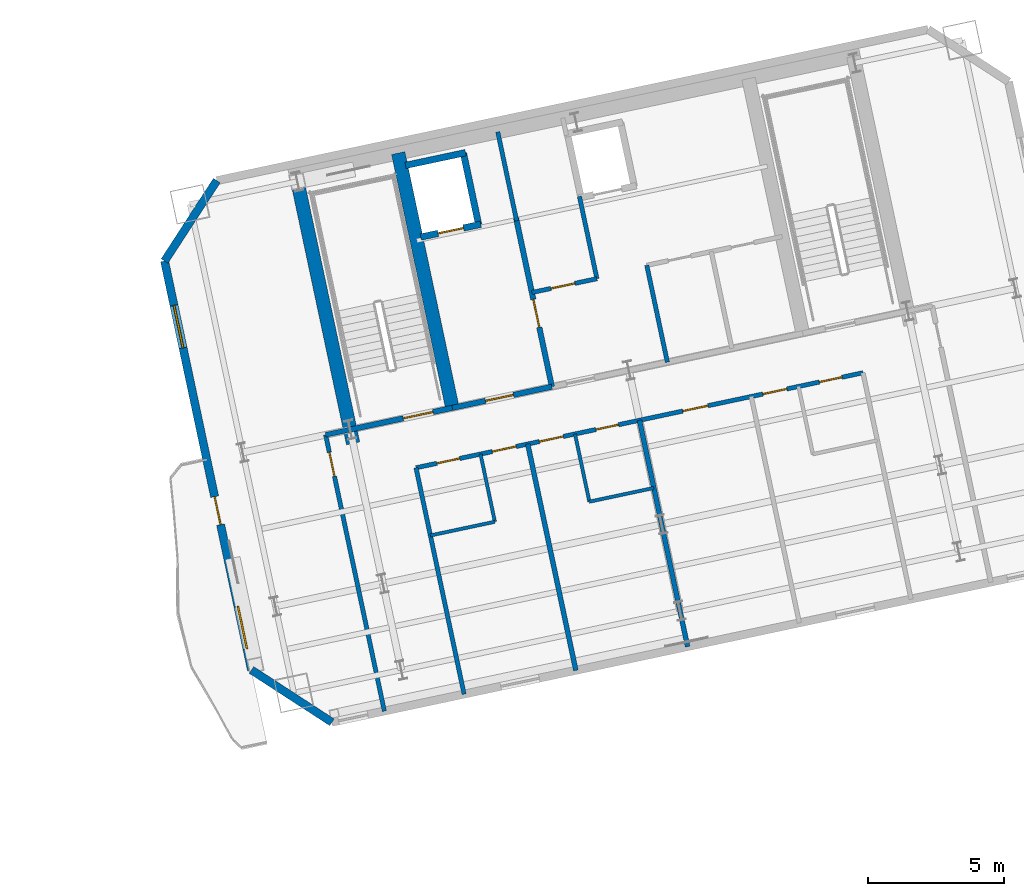
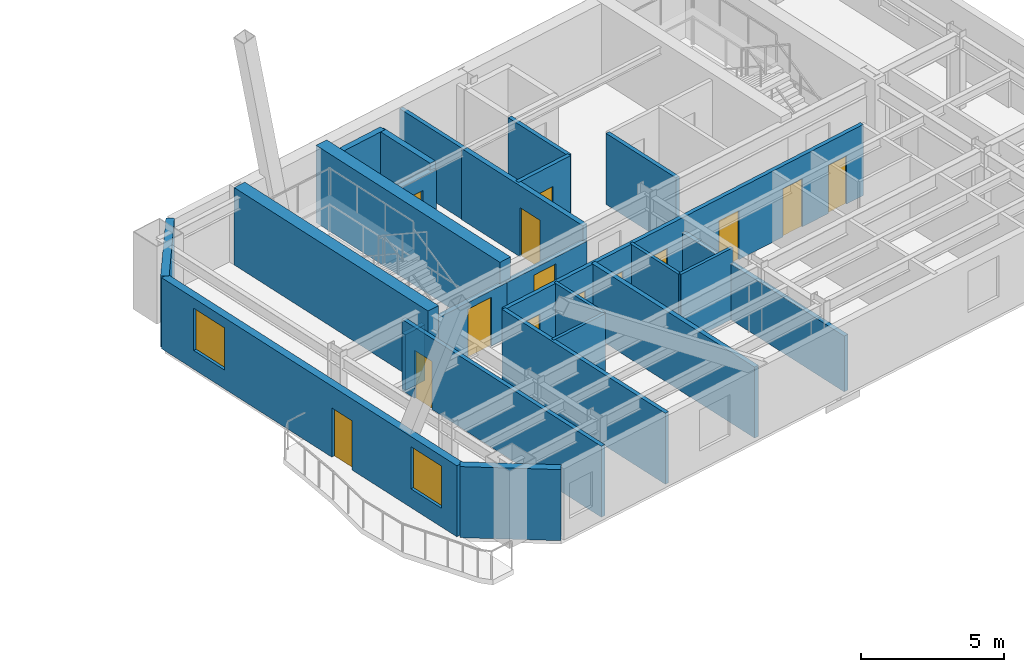
# One storey, part 7 of 13: 25 walls, 14 doors, 2 windows, 16 openings.
"""IFC4 building model written with IfcOpenShell, lengths in metres."""

from ifc_helpers import new_model, si_unit, direction, frame, frame_2d, origin, place, context, subcontext, project, spatial, rectangle, extrude, material, layer, layer_set, type_object, element, fill, save


model = new_model("IFC4")

# Units and contexts
model_context = context("Model", 3, precision=1e-05, world=origin(), true_north=direction((0.0, 1.0)))
body_context = subcontext(model_context, "Body", "Model", "MODEL_VIEW")
ifc_project = project(units=[si_unit("LENGTHUNIT", "METRE"), si_unit("AREAUNIT", "SQUARE_METRE"), si_unit("VOLUMEUNIT", "CUBIC_METRE"), si_unit("PLANEANGLEUNIT", "RADIAN"), si_unit("MASSUNIT", "GRAM", prefix="KILO")], contexts=[model_context])

# Site, building, storey
site_placement = place(None, origin())
site = spatial("IfcSite", under=ifc_project, at=site_placement, CompositionType="ELEMENT")
building_placement = place(site_placement, origin())
building = spatial("IfcBuilding", under=site, at=building_placement, Name="Haevon Station Towers", CompositionType="ELEMENT")
storey_placement = place(building_placement, frame((0.0, 0.0, 165.89990234375)))
storey = spatial("IfcBuildingStorey", under=building, at=storey_placement, Name="L45", CompositionType="ELEMENT", Elevation=165.89990234375)

# Walls
ifc_material_1 = material(Name="Gypsum board on steel stud", Category="steel")
ifc_layer_1 = layer(ifc_material_1, 0.179931640625)
ifc_layer_set_1 = layer_set([ifc_layer_1], Name="Gypsum board on steel stud")
wall_type_1 = type_object("IfcWallType", Name="WL-ACU180", PredefinedType="PARTITIONING", material=ifc_layer_set_1)
wall_1_placement = place(storey_placement, frame((97.84765625, 37.25, 0.0), z_axis=(0.0, 0.0, 1.0), x_axis=(0.978133353907, 0.20797870558, 0.0)))
element("IfcWall", 1, at=wall_1_placement, inside=storey, type_object=wall_type_1, Name="WL-T2PT-L45-03", PredefinedType="PARTITIONING", context=body_context, shape_type="SweptSolid", body=[
    extrude(rectangle(XDim=0.925048828125, YDim=0.179931640625, at=frame_2d((0.46240234375, 0.0))), origin(), (0.0, 0.0, 1.0), 2.380126953125),
])
wall_2_placement = place(storey_placement, frame((107.0693359375, 28.567626953125, 0.0), z_axis=(0.0, 0.0, 1.0), x_axis=(-0.207929954216, 0.978143718551, 0.0)))
element("IfcWall", 2, at=wall_2_placement, inside=storey, type_object=wall_type_1, Name="WL-T2PT-L45-09", PredefinedType="PARTITIONING", context=body_context, shape_type="SweptSolid", body=[
    extrude(rectangle(XDim=8.5302734375, YDim=0.179931640625, at=frame_2d((4.26513671875, 0.0))), origin(), (0.0, 0.0, 1.0), 3.030029296875),
])
wall_3_placement = place(storey_placement, frame((111.187255859375, 29.44287109375, 0.0), z_axis=(0.0, 0.0, 1.0), x_axis=(-0.207902570608, 0.97814953925, 0.0)))
element("IfcWall", 3, at=wall_3_placement, inside=storey, type_object=wall_type_1, Name="WL-T2PT-L45-12", PredefinedType="PARTITIONING", context=body_context, shape_type="SweptSolid", body=[
    extrude(rectangle(XDim=8.530029296875, YDim=0.179931640625, at=frame_2d((4.26513671875, 0.0))), origin(), (0.0, 0.0, 1.0), 2.380126953125),
])

# Wall, opening, door
ifc_layer_2 = layer(ifc_material_1, 0.199951171875)
ifc_layer_set_2 = layer_set([ifc_layer_2], Name="Gypsum board on steel stud")
wall_type_2 = type_object("IfcWallType", Name="WL-COR200", PredefinedType="PARTITIONING", material=ifc_layer_set_2)
wall_4_placement = place(storey_placement, frame((98.75244140625, 37.4423828125, 0.0), z_axis=(0.0, 0.0, 1.0), x_axis=(0.978143537786, 0.207930804564, 0.0)))
wall_4 = element("IfcWall", 4, at=wall_4_placement, inside=storey, type_object=wall_type_2, Name="WL-ST-ST3-L45", PredefinedType="PARTITIONING", context=body_context, shape_type="SweptSolid", body=[
    extrude(rectangle(XDim=3.85009765625, YDim=0.199951171875, at=frame_2d((1.925048828125, 0.0))), origin(), (0.0, 0.0, 1.0), 2.380126953125),
])
opening_1_placement = place(wall_4_placement, frame((2.0, 0.0, 0.0)))
opening_1 = element("IfcOpeningElement", 5, at=opening_1_placement, cuts=wall_4, Name="Opening DR-ST-ST3-L45", PredefinedType="OPENING", context=body_context, shape_type="SweptSolid", body=[
    extrude(rectangle(XDim=1.1201171875, YDim=2.10009765625, at=frame_2d((0.56005859375, 1.050048828125))), frame((0.0, 0.10986328125, 0.0), z_axis=(0.0, -1.0, 0.0), x_axis=(1.0, 0.0, 0.0)), (0.0, 0.0, 1.0), 0.219970703125),
])
ifc_material_2 = material(Name="Engineered oak timber", Category="wood")
door_type_1 = type_object("IfcDoorType", Name="DR-ST-1120", OperationType="NOTDEFINED", PredefinedType="DOOR", material=ifc_material_2)
door_1_placement = place(opening_1_placement, origin())
door_1 = element("IfcDoor", 6, at=door_1_placement, inside=storey, type_object=door_type_1, Name="L45 Escape Stair ST3 Fire Door", OperationType="SINGLE_SWING_LEFT", OverallHeight=2.10009765625, OverallWidth=1.1201171875, PredefinedType="DOOR", context=body_context, shape_type="SweptSolid", body=[
    extrude(rectangle(XDim=1.1201171875, YDim=2.10009765625, at=frame_2d((0.56005859375, 1.050048828125))), frame((0.0, 0.02490234375, 0.0), z_axis=(0.0, -1.0, 0.0), x_axis=(1.0, 0.0, 0.0)), (0.0, 0.0, 1.0), 0.050048828125),
])
fill(opening_1, door_1)

wall_5_placement = place(storey_placement, frame((106.186279296875, 39.0224609375, 0.0), z_axis=(0.0, 0.0, 1.0), x_axis=(-0.207916691923, 0.978146537703, 0.0)))
wall_5 = element("IfcWall", 7, at=wall_5_placement, inside=storey, type_object=wall_type_2, Name="WL-T2FFL-L45-E", PredefinedType="PARTITIONING", context=body_context, shape_type="SweptSolid", body=[
    extrude(rectangle(XDim=6.35009765625, YDim=0.199951171875, at=frame_2d((3.175048828125, 0.0))), origin(), (0.0, 0.0, 1.0), 3.030029296875),
])
opening_2_placement = place(wall_5_placement, frame((2.239990234375, 0.0, 0.0)))
opening_2 = element("IfcOpeningElement", 8, at=opening_2_placement, cuts=wall_5, Name="Opening DR-T2FFL-L45-E", PredefinedType="OPENING", context=body_context, shape_type="SweptSolid", body=[
    extrude(rectangle(XDim=1.050048828125, YDim=2.10009765625, at=frame_2d((0.52490234375, 1.050048828125))), frame((0.0, 0.10986328125, 0.0), z_axis=(0.0, -1.0, 0.0), x_axis=(1.0, 0.0, 0.0)), (0.0, 0.0, 1.0), 0.219970703125),
])
door_type_2 = type_object("IfcDoorType", Name="DR-FD60-1050", OperationType="NOTDEFINED", PredefinedType="DOOR", material=ifc_material_2)
door_2_placement = place(opening_2_placement, origin())
door_2 = element("IfcDoor", 9, at=door_2_placement, inside=storey, type_object=door_type_2, Name="L45 Tower 2 Firefighting Lift Lobby Door E", OperationType="SINGLE_SWING_LEFT", OverallHeight=2.10009765625, OverallWidth=1.050048828125, PredefinedType="DOOR", context=body_context, shape_type="SweptSolid", body=[
    extrude(rectangle(XDim=1.050048828125, YDim=2.10009765625, at=frame_2d((0.52490234375, 1.050048828125))), frame((0.0, 0.02490234375, 0.0), z_axis=(0.0, -1.0, 0.0), x_axis=(1.0, 0.0, 0.0)), (0.0, 0.0, 1.0), 0.050048828125),
])
fill(opening_2, door_2)

wall_6_placement = place(storey_placement, frame((102.518310546875, 38.242919921875, 0.0), z_axis=(0.0, 0.0, 1.0), x_axis=(0.978153555683, 0.20788367301, 0.0)))
wall_6 = element("IfcWall", 10, at=wall_6_placement, inside=storey, type_object=wall_type_2, Name="WL-T2FFL-L45-S", PredefinedType="PARTITIONING", context=body_context, shape_type="SweptSolid", body=[
    extrude(rectangle(XDim=3.75, YDim=0.199951171875, at=frame_2d((1.875, 0.0))), origin(), (0.0, 0.0, 1.0), 2.380126953125),
])
opening_3_placement = place(wall_6_placement, frame((1.25, 0.0, 0.0)))
opening_3 = element("IfcOpeningElement", 11, at=opening_3_placement, cuts=wall_6, Name="Opening DR-T2FFL-L45-S", PredefinedType="OPENING", context=body_context, shape_type="SweptSolid", body=[
    extrude(rectangle(XDim=1.050048828125, YDim=2.10009765625, at=frame_2d((0.52490234375, 1.050048828125))), frame((0.0, 0.10986328125, 0.0), z_axis=(0.0, -1.0, 0.0), x_axis=(1.0, 0.0, 0.0)), (0.0, 0.0, 1.0), 0.219970703125),
])
door_3_placement = place(opening_3_placement, origin())
door_3 = element("IfcDoor", 12, at=door_3_placement, inside=storey, type_object=door_type_2, Name="L45 Tower 2 Firefighting Lift Lobby Door S", OperationType="SINGLE_SWING_RIGHT", OverallHeight=2.10009765625, OverallWidth=1.050048828125, PredefinedType="DOOR", context=body_context, shape_type="SweptSolid", body=[
    extrude(rectangle(XDim=1.050048828125, YDim=2.10009765625, at=frame_2d((0.52490234375, 1.050048828125))), frame((0.0, 0.02490234375, 0.0), z_axis=(0.0, -1.0, 0.0), x_axis=(1.0, 0.0, 0.0)), (0.0, 0.0, 1.0), 0.050048828125),
])
fill(opening_3, door_3)

# Walls
ifc_material_3 = material(Name="Concrete C60/75", Category="concrete")
ifc_layer_3 = layer(ifc_material_3, 0.5)
ifc_layer_set_3 = layer_set([ifc_layer_3], Name="Concrete C60/75")
wall_type_3 = type_object("IfcWallType", Name="WL-CR500", PredefinedType="SHEAR", material=ifc_layer_set_3)
wall_7_placement = place(storey_placement, frame((98.8603515625, 36.933837890625, 0.0), z_axis=(0.0, 0.0, 1.0), x_axis=(-0.20790924889, 0.978148119778, 0.0)))
element("IfcWall", 13, at=wall_7_placement, inside=storey, type_object=wall_type_3, Name="WL-T2CR-L45-W", PredefinedType="SHEAR", context=body_context, shape_type="SweptSolid", body=[
    extrude(rectangle(XDim=10.119873046875, YDim=0.5, at=frame_2d((5.06005859375, 0.0))), origin(), (0.0, 0.0, 1.0), 3.300048828125),
])
wall_8_placement = place(storey_placement, frame((102.518310546875, 38.242919921875, 0.0), z_axis=(0.0, 0.0, 1.0), x_axis=(-0.207927495108, 0.978144241295, 0.0)))
element("IfcWall", 14, at=wall_8_placement, inside=storey, type_object=wall_type_3, Name="WL-T2CR-L45-M1", PredefinedType="SHEAR", context=body_context, shape_type="SweptSolid", body=[
    extrude(rectangle(XDim=9.599853515625, YDim=0.5, at=frame_2d((4.7998046875, 0.0))), origin(), (0.0, 0.0, 1.0), 3.300048828125),
])
ifc_material_4 = material(Name="Precast concrete C45/55", Category="concrete")
ifc_layer_4 = layer(ifc_material_4, 0.300048828125)
ifc_layer_set_4 = layer_set([ifc_layer_4], Name="Precast concrete C45/55")
wall_type_4 = type_object("IfcWallType", Name="WL-EXT-PIER300", PredefinedType="SOLIDWALL", material=ifc_layer_set_4)
wall_9_placement = place(storey_placement, frame((98.080078125, 26.656982421875, 0.0), z_axis=(0.0, 0.0, 1.0), x_axis=(-0.838672309694, 0.544636352948, 0.0)))
element("IfcWall", 15, at=wall_9_placement, inside=storey, type_object=wall_type_4, Name="WL-T2-L45-SWC", PredefinedType="SOLIDWALL", context=body_context, shape_type="SweptSolid", body=[
    extrude(rectangle(XDim=3.535400390625, YDim=0.300048828125, at=frame_2d((1.767578125, 0.0))), origin(), (0.0, 0.0, 1.0), 3.030029296875),
])

# Wall, openings, door, windows
wall_10_placement = place(storey_placement, frame((95.114990234375, 28.58251953125, 0.0), z_axis=(0.0, 0.0, 1.0), x_axis=(-0.207908020757, 0.978148380822, 0.0)))
wall_10 = element("IfcWall", 16, at=wall_10_placement, inside=storey, type_object=wall_type_4, Name="WL-T2-L45-W", PredefinedType="SOLIDWALL", context=body_context, shape_type="SweptSolid", body=[
    extrude(rectangle(XDim=15.409912109375, YDim=0.300048828125, at=frame_2d((7.705078125, 0.0))), origin(), (0.0, 0.0, 1.0), 3.030029296875),
])
opening_4_placement = place(wall_10_placement, frame((5.47998046875, 0.0, 0.0)))
opening_4 = element("IfcOpeningElement", 17, at=opening_4_placement, cuts=wall_10, Name="Opening DR-T2-SCAL-L45-W", PredefinedType="OPENING", context=body_context, shape_type="SweptSolid", body=[
    extrude(rectangle(XDim=1.050048828125, YDim=2.10009765625, at=frame_2d((0.52490234375, 1.050048828125))), frame((0.0, 0.159912109375, 0.0), z_axis=(0.0, -1.0, 0.0), x_axis=(1.0, 0.0, 0.0)), (0.0, 0.0, 1.0), 0.320068359375),
])
opening_5_placement = place(wall_10_placement, frame((0.800048828125, 0.0, 0.800048828125)))
opening_5 = element("IfcOpeningElement", 18, at=opening_5_placement, cuts=wall_10, Name="Opening WN-END160", PredefinedType="OPENING", context=body_context, shape_type="SweptSolid", body=[
    extrude(rectangle(XDim=1.60009765625, YDim=1.800048828125, at=frame_2d((0.800048828125, 0.89990234375))), frame((0.0, 0.159912109375, 0.0), z_axis=(0.0, -1.0, 0.0), x_axis=(1.0, 0.0, 0.0)), (0.0, 0.0, 1.0), 0.320068359375),
])
opening_6_placement = place(wall_10_placement, frame((12.137939453125, 0.0, 0.800048828125)))
opening_6 = element("IfcOpeningElement", 19, at=opening_6_placement, cuts=wall_10, Name="Opening WN-END160", PredefinedType="OPENING", context=body_context, shape_type="SweptSolid", body=[
    extrude(rectangle(XDim=1.60009765625, YDim=1.800048828125, at=frame_2d((0.800048828125, 0.89990234375))), frame((0.0, 0.159912109375, 0.0), z_axis=(0.0, -1.0, 0.0), x_axis=(1.0, 0.0, 0.0)), (0.0, 0.0, 1.0), 0.320068359375),
])
ifc_material_5 = material(Name="Thermally broken anodised aluminium and laminated safety glass", Category="aluminium")
door_type_3 = type_object("IfcDoorType", Name="DR-BALC-1050", OperationType="NOTDEFINED", PredefinedType="DOOR", material=ifc_material_5)
door_4_placement = place(opening_4_placement, origin())
door_4 = element("IfcDoor", 20, at=door_4_placement, inside=storey, type_object=door_type_3, Name="Tower 2 L45 West Scalloped Balcony Door", OperationType="SINGLE_SWING_LEFT", OverallHeight=2.10009765625, OverallWidth=1.050048828125, PredefinedType="DOOR", context=body_context, shape_type="SweptSolid", body=[
    extrude(rectangle(XDim=1.050048828125, YDim=2.10009765625, at=frame_2d((0.52490234375, 1.050048828125))), frame((0.0, 0.02490234375, 0.0), z_axis=(0.0, -1.0, 0.0), x_axis=(1.0, 0.0, 0.0)), (0.0, 0.0, 1.0), 0.050048828125),
])
fill(opening_4, door_4)
ifc_material_6 = material(Name="Low-E triple glazing in thermally broken aluminium", Category="aluminium")
window_type = type_object("IfcWindowType", Name="WN-END160", PartitioningType="SINGLE_PANEL", PredefinedType="WINDOW", material=ifc_material_6)
window_1_placement = place(opening_5_placement, origin())
window_1 = element("IfcWindow", 21, at=window_1_placement, inside=storey, type_object=window_type, Name="WN-T2-L45-W01", OverallHeight=1.800048828125, OverallWidth=1.60009765625, PartitioningType="SINGLE_PANEL", PredefinedType="WINDOW", context=body_context, shape_type="SweptSolid", body=[
    extrude(rectangle(XDim=1.60009765625, YDim=1.800048828125, at=frame_2d((0.800048828125, 0.89990234375))), frame((0.0, 0.030029296875, 0.0), z_axis=(0.0, -1.0, 0.0), x_axis=(1.0, 0.0, 0.0)), (0.0, 0.0, 1.0), 0.06005859375),
])
fill(opening_5, window_1)
window_2_placement = place(opening_6_placement, origin())
window_2 = element("IfcWindow", 22, at=window_2_placement, inside=storey, type_object=window_type, Name="WN-T2-L45-W02", OverallHeight=1.800048828125, OverallWidth=1.60009765625, PartitioningType="SINGLE_PANEL", PredefinedType="WINDOW", context=body_context, shape_type="SweptSolid", body=[
    extrude(rectangle(XDim=1.60009765625, YDim=1.800048828125, at=frame_2d((0.800048828125, 0.89990234375))), frame((0.0, 0.030029296875, 0.0), z_axis=(0.0, -1.0, 0.0), x_axis=(1.0, 0.0, 0.0)), (0.0, 0.0, 1.0), 0.06005859375),
])
fill(opening_6, window_2)

# Walls
wall_11_placement = place(storey_placement, frame((91.9111328125, 43.65576171875, 0.0), z_axis=(0.0, 0.0, 1.0), x_axis=(0.544636352948, 0.838672309694, 0.0)))
element("IfcWall", 23, at=wall_11_placement, inside=storey, type_object=wall_type_4, Name="WL-T2-L45-NWC", PredefinedType="SOLIDWALL", context=body_context, shape_type="SweptSolid", body=[
    extrude(rectangle(XDim=3.535400390625, YDim=0.300048828125, at=frame_2d((1.767578125, 0.0))), origin(), (0.0, 0.0, 1.0), 3.030029296875),
])
ifc_layer_5 = layer(ifc_material_1, 0.125)
ifc_layer_set_5 = layer_set([ifc_layer_5], Name="Gypsum board on steel stud")
wall_type_5 = type_object("IfcWallType", Name="WL-PRT125", PredefinedType="PARTITIONING", material=ifc_layer_set_5)
wall_12_placement = place(storey_placement, frame((101.7080078125, 33.541748046875, 0.0), z_axis=(0.0, 0.0, 1.0), x_axis=(0.978156808166, 0.207868368539, 0.0)))
element("IfcWall", 24, at=wall_12_placement, inside=storey, type_object=wall_type_5, Name="WL-T2PT-L45-07", PredefinedType="PARTITIONING", context=body_context, shape_type="SweptSolid", body=[
    extrude(rectangle(XDim=2.429931640625, YDim=0.125, at=frame_2d((1.21484375, 0.0))), origin(), (0.0, 0.0, 1.0), 3.030029296875),
])
wall_13_placement = place(storey_placement, frame((104.0849609375, 34.046875, 0.0), z_axis=(0.0, 0.0, 1.0), x_axis=(-0.207940050407, 0.978141572287, 0.0)))
element("IfcWall", 25, at=wall_13_placement, inside=storey, type_object=wall_type_5, Name="WL-T2PT-L45-08", PredefinedType="PARTITIONING", context=body_context, shape_type="SweptSolid", body=[
    extrude(rectangle(XDim=2.550048828125, YDim=0.125, at=frame_2d((1.27490234375, 0.0))), origin(), (0.0, 0.0, 1.0), 3.030029296875),
])
wall_14_placement = place(storey_placement, frame((107.567138671875, 34.787109375, 0.0), z_axis=(0.0, 0.0, 1.0), x_axis=(0.978152466376, 0.207888798452, 0.0)))
element("IfcWall", 26, at=wall_14_placement, inside=storey, type_object=wall_type_5, Name="WL-T2PT-L45-10", PredefinedType="PARTITIONING", context=body_context, shape_type="SweptSolid", body=[
    extrude(rectangle(XDim=2.4296875, YDim=0.125, at=frame_2d((1.21484375, 0.0))), origin(), (0.0, 0.0, 1.0), 3.030029296875),
])
wall_15_placement = place(storey_placement, frame((107.567138671875, 34.787109375, 0.0), z_axis=(0.0, 0.0, 1.0), x_axis=(-0.207959524531, 0.978137432142, 0.0)))
element("IfcWall", 27, at=wall_15_placement, inside=storey, type_object=wall_type_5, Name="WL-T2PT-L45-11", PredefinedType="PARTITIONING", context=body_context, shape_type="SweptSolid", body=[
    extrude(rectangle(XDim=2.5498046875, YDim=0.125, at=frame_2d((1.27490234375, 0.0))), origin(), (0.0, 0.0, 1.0), 3.030029296875),
])
ifc_layer_6 = layer(ifc_material_1, 0.159912109375)
ifc_layer_set_6 = layer_set([ifc_layer_6], Name="Gypsum board on steel stud")
wall_type_6 = type_object("IfcWallType", Name="WL-PRT160", PredefinedType="PARTITIONING", material=ifc_layer_set_6)
wall_16_placement = place(storey_placement, frame((104.88671875, 45.135986328125, 0.0), z_axis=(0.0, 0.0, 1.0), x_axis=(-0.207846553267, 0.978161443881, 0.0)))
element("IfcWall", 28, at=wall_16_placement, inside=storey, type_object=wall_type_6, Name="WL-T2CW-L45-01", PredefinedType="PARTITIONING", context=body_context, shape_type="SweptSolid", body=[
    extrude(rectangle(XDim=3.35009765625, YDim=0.159912109375, at=frame_2d((1.675048828125, 0.0))), origin(), (0.0, 0.0, 1.0), 3.030029296875),
])

# Wall, opening, door
wall_17_placement = place(storey_placement, frame((105.4482421875, 42.494873046875, 0.0), z_axis=(0.0, 0.0, 1.0), x_axis=(0.978136559131, 0.207963630695, 0.0)))
wall_17 = element("IfcWall", 29, at=wall_17_placement, inside=storey, type_object=wall_type_6, Name="WL-T2CW-L45-02", PredefinedType="PARTITIONING", context=body_context, shape_type="SweptSolid", body=[
    extrude(rectangle(XDim=2.449951171875, YDim=0.159912109375, at=frame_2d((1.22509765625, 0.0))), origin(), (0.0, 0.0, 1.0), 3.030029296875),
])
opening_7_placement = place(wall_17_placement, frame((0.719970703125, 0.0, 0.0)))
opening_7 = element("IfcOpeningElement", 30, at=opening_7_placement, cuts=wall_17, Name="Opening DR-WL-T2CW-L45-02-1", PredefinedType="OPENING", context=body_context, shape_type="SweptSolid", body=[
    extrude(rectangle(XDim=0.89990234375, YDim=2.10009765625, at=frame_2d((0.449951171875, 1.050048828125))), frame((0.0, 0.08984375, 0.0), z_axis=(0.0, -1.0, 0.0), x_axis=(1.0, 0.0, 0.0)), (0.0, 0.0, 1.0), 0.179931640625),
])
door_type_4 = type_object("IfcDoorType", Name="DR-FD60-900", OperationType="NOTDEFINED", PredefinedType="DOOR", material=ifc_material_2)
door_5_placement = place(opening_7_placement, origin())
door_5 = element("IfcDoor", 31, at=door_5_placement, inside=storey, type_object=door_type_4, Name="L45 Tower 2 Core Room Door 2-1", OperationType="SINGLE_SWING_LEFT", OverallHeight=2.10009765625, OverallWidth=0.89990234375, PredefinedType="DOOR", context=body_context, shape_type="SweptSolid", body=[
    extrude(rectangle(XDim=0.89990234375, YDim=2.10009765625, at=frame_2d((0.449951171875, 1.050048828125))), frame((0.0, 0.02490234375, 0.0), z_axis=(0.0, -1.0, 0.0), x_axis=(1.0, 0.0, 0.0)), (0.0, 0.0, 1.0), 0.050048828125),
])
fill(opening_7, door_5)

# Walls
wall_18_placement = place(storey_placement, frame((107.8447265625, 43.00439453125, 0.0), z_axis=(0.0, 0.0, 1.0), x_axis=(-0.207915270313, 0.978146839882, 0.0)))
element("IfcWall", 32, at=wall_18_placement, inside=storey, type_object=wall_type_6, Name="WL-T2CW-L45-03", PredefinedType="PARTITIONING", context=body_context, shape_type="SweptSolid", body=[
    extrude(rectangle(XDim=3.099853515625, YDim=0.159912109375, at=frame_2d((1.5498046875, 0.0))), origin(), (0.0, 0.0, 1.0), 3.030029296875),
])
wall_19_placement = place(storey_placement, frame((110.441162109375, 39.927001953125, 0.0), z_axis=(0.0, 0.0, 1.0), x_axis=(-0.207884354546, 0.978153410838, 0.0)))
element("IfcWall", 33, at=wall_19_placement, inside=storey, type_object=wall_type_6, Name="WL-T2CW-L45-05", PredefinedType="PARTITIONING", context=body_context, shape_type="SweptSolid", body=[
    extrude(rectangle(XDim=3.650146484375, YDim=0.159912109375, at=frame_2d((1.8251953125, 0.0))), origin(), (0.0, 0.0, 1.0), 3.030029296875),
])
wall_20_placement = place(storey_placement, frame((102.951171875, 27.6923828125, 0.0), z_axis=(0.0, 0.0, 1.0), x_axis=(-0.207908391118, 0.978148302101, 0.0)))
element("IfcWall", 34, at=wall_20_placement, inside=storey, type_object=wall_type_6, Name="WL-T2PT-L45-01", PredefinedType="PARTITIONING", context=body_context, shape_type="SweptSolid", body=[
    extrude(rectangle(XDim=8.52978515625, YDim=0.159912109375, at=frame_2d((4.264892578125, 0.0))), origin(), (0.0, 0.0, 1.0), 3.030029296875),
])

# Wall, opening, door
wall_21_placement = place(storey_placement, frame((100.011962890625, 27.067626953125, 0.0), z_axis=(0.0, 0.0, 1.0), x_axis=(-0.207909525055, 0.978148061078, 0.0)))
wall_21 = element("IfcWall", 35, at=wall_21_placement, inside=storey, type_object=wall_type_6, Name="WL-T2PT-L45-05", PredefinedType="PARTITIONING", context=body_context, shape_type="SweptSolid", body=[
    extrude(rectangle(XDim=10.409912109375, YDim=0.159912109375, at=frame_2d((5.205078125, 0.0))), origin(), (0.0, 0.0, 1.0), 3.030029296875),
])
opening_8_placement = place(wall_21_placement, frame((8.85009765625, 0.0, 0.0)))
opening_8 = element("IfcOpeningElement", 36, at=opening_8_placement, cuts=wall_21, Name="Opening DR-WL-T2PT-L45-05-01", PredefinedType="OPENING", context=body_context, shape_type="SweptSolid", body=[
    extrude(rectangle(XDim=0.89990234375, YDim=2.050048828125, at=frame_2d((0.449951171875, 1.02490234375))), frame((0.0, 0.08984375, 0.0), z_axis=(0.0, -1.0, 0.0), x_axis=(1.0, 0.0, 0.0)), (0.0, 0.0, 1.0), 0.179931640625),
])
door_type_5 = type_object("IfcDoorType", Name="DR-INT-900", OperationType="NOTDEFINED", PredefinedType="DOOR", material=ifc_material_2)
door_6_placement = place(opening_8_placement, origin())
door_6 = element("IfcDoor", 37, at=door_6_placement, inside=storey, type_object=door_type_5, Name="L45 Tower 2 Room Door 5-1", OperationType="SINGLE_SWING_RIGHT", OverallHeight=2.050048828125, OverallWidth=0.89990234375, PredefinedType="DOOR", context=body_context, shape_type="SweptSolid", body=[
    extrude(rectangle(XDim=0.89990234375, YDim=2.050048828125, at=frame_2d((0.449951171875, 1.02490234375))), frame((0.0, 0.02490234375, 0.0), z_axis=(0.0, -1.0, 0.0), x_axis=(1.0, 0.0, 0.0)), (0.0, 0.0, 1.0), 0.050048828125),
])
fill(opening_8, door_6)

# Wall, openings, doors
wall_22_placement = place(storey_placement, frame((101.177734375, 36.035888671875, 0.0), z_axis=(0.0, 0.0, 1.0), x_axis=(0.978147537813, 0.207911986835, 0.0)))
wall_22 = element("IfcWall", 38, at=wall_22_placement, inside=storey, type_object=wall_type_6, Name="WL-T2PT-L45-16", PredefinedType="PARTITIONING", context=body_context, shape_type="SweptSolid", body=[
    extrude(rectangle(XDim=16.83984375, YDim=0.159912109375, at=frame_2d((8.419921875, 0.0))), origin(), (0.0, 0.0, 1.0), 3.030029296875),
])
opening_9_placement = place(wall_22_placement, frame((0.7900390625, 0.0, 0.0)))
opening_9 = element("IfcOpeningElement", 39, at=opening_9_placement, cuts=wall_22, Name="Opening DR-WL-T2PT-L45-16-01", PredefinedType="OPENING", context=body_context, shape_type="SweptSolid", body=[
    extrude(rectangle(XDim=0.85009765625, YDim=2.050048828125, at=frame_2d((0.425048828125, 1.02490234375))), frame((0.0, 0.08984375, 0.0), z_axis=(0.0, -1.0, 0.0), x_axis=(1.0, 0.0, 0.0)), (0.0, 0.0, 1.0), 0.179931640625),
])
opening_10_placement = place(wall_22_placement, frame((2.8701171875, 0.0, 0.0)))
opening_10 = element("IfcOpeningElement", 40, at=opening_10_placement, cuts=wall_22, Name="Opening DR-WL-T2PT-L45-16-02", PredefinedType="OPENING", context=body_context, shape_type="SweptSolid", body=[
    extrude(rectangle(XDim=0.89990234375, YDim=2.050048828125, at=frame_2d((0.449951171875, 1.02490234375))), frame((0.0, 0.08984375, 0.0), z_axis=(0.0, -1.0, 0.0), x_axis=(1.0, 0.0, 0.0)), (0.0, 0.0, 1.0), 0.179931640625),
])
opening_11_placement = place(wall_22_placement, frame((6.780029296875, 0.0, 0.0)))
opening_11 = element("IfcOpeningElement", 41, at=opening_11_placement, cuts=wall_22, Name="Opening DR-WL-T2PT-L45-16-03", PredefinedType="OPENING", context=body_context, shape_type="SweptSolid", body=[
    extrude(rectangle(XDim=0.85009765625, YDim=2.050048828125, at=frame_2d((0.425048828125, 1.02490234375))), frame((0.0, 0.08984375, 0.0), z_axis=(0.0, -1.0, 0.0), x_axis=(1.0, 0.0, 0.0)), (0.0, 0.0, 1.0), 0.179931640625),
])
opening_12_placement = place(wall_22_placement, frame((4.64990234375, 0.0, 0.0)))
opening_12 = element("IfcOpeningElement", 42, at=opening_12_placement, cuts=wall_22, Name="Opening DR-WL-T2PT-L45-16-04", PredefinedType="OPENING", context=body_context, shape_type="SweptSolid", body=[
    extrude(rectangle(XDim=0.89990234375, YDim=2.050048828125, at=frame_2d((0.449951171875, 1.02490234375))), frame((0.0, 0.08984375, 0.0), z_axis=(0.0, -1.0, 0.0), x_axis=(1.0, 0.0, 0.0)), (0.0, 0.0, 1.0), 0.179931640625),
])
opening_13_placement = place(wall_22_placement, frame((10.050048828125, 0.0, 0.0)))
opening_13 = element("IfcOpeningElement", 43, at=opening_13_placement, cuts=wall_22, Name="Opening DR-WL-T2PT-L45-16-05", PredefinedType="OPENING", context=body_context, shape_type="SweptSolid", body=[
    extrude(rectangle(XDim=0.949951171875, YDim=2.10009765625, at=frame_2d((0.47509765625, 1.050048828125))), frame((0.0, 0.08984375, 0.0), z_axis=(0.0, -1.0, 0.0), x_axis=(1.0, 0.0, 0.0)), (0.0, 0.0, 1.0), 0.179931640625),
])
opening_14_placement = place(wall_22_placement, frame((15.199951171875, 0.0, 0.0)))
opening_14 = element("IfcOpeningElement", 44, at=opening_14_placement, cuts=wall_22, Name="Opening DR-WL-T2PT-L45-16-06", PredefinedType="OPENING", context=body_context, shape_type="SweptSolid", body=[
    extrude(rectangle(XDim=0.85009765625, YDim=2.050048828125, at=frame_2d((0.425048828125, 1.02490234375))), frame((0.0, 0.08984375, 0.0), z_axis=(0.0, -1.0, 0.0), x_axis=(1.0, 0.0, 0.0)), (0.0, 0.0, 1.0), 0.179931640625),
])
opening_15_placement = place(wall_22_placement, frame((13.070068359375, 0.0, 0.0)))
opening_15 = element("IfcOpeningElement", 45, at=opening_15_placement, cuts=wall_22, Name="Opening DR-WL-T2PT-L45-16-07", PredefinedType="OPENING", context=body_context, shape_type="SweptSolid", body=[
    extrude(rectangle(XDim=0.89990234375, YDim=2.050048828125, at=frame_2d((0.449951171875, 1.02490234375))), frame((0.0, 0.08984375, 0.0), z_axis=(0.0, -1.0, 0.0), x_axis=(1.0, 0.0, 0.0)), (0.0, 0.0, 1.0), 0.179931640625),
])
door_type_6 = type_object("IfcDoorType", Name="DR-FD30-850", OperationType="NOTDEFINED", PredefinedType="DOOR", material=ifc_material_2)
door_7_placement = place(opening_9_placement, origin())
door_7 = element("IfcDoor", 46, at=door_7_placement, inside=storey, type_object=door_type_6, Name="L45 Tower 2 Room Door 16-1", OperationType="SINGLE_SWING_RIGHT", OverallHeight=2.050048828125, OverallWidth=0.85009765625, PredefinedType="DOOR", context=body_context, shape_type="SweptSolid", body=[
    extrude(rectangle(XDim=0.85009765625, YDim=2.050048828125, at=frame_2d((0.425048828125, 1.02490234375))), frame((0.0, 0.02490234375, 0.0), z_axis=(0.0, -1.0, 0.0), x_axis=(1.0, 0.0, 0.0)), (0.0, 0.0, 1.0), 0.050048828125),
])
fill(opening_9, door_7)
door_8_placement = place(opening_11_placement, origin())
door_8 = element("IfcDoor", 47, at=door_8_placement, inside=storey, type_object=door_type_6, Name="L45 Tower 2 Room Door 16-3", OperationType="SINGLE_SWING_RIGHT", OverallHeight=2.050048828125, OverallWidth=0.85009765625, PredefinedType="DOOR", context=body_context, shape_type="SweptSolid", body=[
    extrude(rectangle(XDim=0.85009765625, YDim=2.050048828125, at=frame_2d((0.425048828125, 1.02490234375))), frame((0.0, 0.02490234375, 0.0), z_axis=(0.0, -1.0, 0.0), x_axis=(1.0, 0.0, 0.0)), (0.0, 0.0, 1.0), 0.050048828125),
])
fill(opening_11, door_8)
door_9_placement = place(opening_14_placement, origin())
door_9 = element("IfcDoor", 48, at=door_9_placement, inside=storey, type_object=door_type_6, Name="L45 Tower 2 Room Door 16-6", OperationType="SINGLE_SWING_LEFT", OverallHeight=2.050048828125, OverallWidth=0.85009765625, PredefinedType="DOOR", context=body_context, shape_type="SweptSolid", body=[
    extrude(rectangle(XDim=0.85009765625, YDim=2.050048828125, at=frame_2d((0.425048828125, 1.02490234375))), frame((0.0, 0.02490234375, 0.0), z_axis=(0.0, -1.0, 0.0), x_axis=(1.0, 0.0, 0.0)), (0.0, 0.0, 1.0), 0.050048828125),
])
fill(opening_14, door_9)
door_type_7 = type_object("IfcDoorType", Name="DR-FD30-950", OperationType="NOTDEFINED", PredefinedType="DOOR", material=ifc_material_2)
door_10_placement = place(opening_13_placement, origin())
door_10 = element("IfcDoor", 49, at=door_10_placement, inside=storey, type_object=door_type_7, Name="L45 Tower 2 Room Door 16-5", OperationType="SINGLE_SWING_RIGHT", OverallHeight=2.10009765625, OverallWidth=0.949951171875, PredefinedType="DOOR", context=body_context, shape_type="SweptSolid", body=[
    extrude(rectangle(XDim=0.949951171875, YDim=2.10009765625, at=frame_2d((0.47509765625, 1.050048828125))), frame((0.0, 0.02490234375, 0.0), z_axis=(0.0, -1.0, 0.0), x_axis=(1.0, 0.0, 0.0)), (0.0, 0.0, 1.0), 0.050048828125),
])
fill(opening_13, door_10)
door_11_placement = place(opening_10_placement, origin())
door_11 = element("IfcDoor", 50, at=door_11_placement, inside=storey, type_object=door_type_5, Name="L45 Tower 2 Room Door 16-2", OperationType="SINGLE_SWING_LEFT", OverallHeight=2.050048828125, OverallWidth=0.89990234375, PredefinedType="DOOR", context=body_context, shape_type="SweptSolid", body=[
    extrude(rectangle(XDim=0.89990234375, YDim=2.050048828125, at=frame_2d((0.449951171875, 1.02490234375))), frame((0.0, 0.02490234375, 0.0), z_axis=(0.0, -1.0, 0.0), x_axis=(1.0, 0.0, 0.0)), (0.0, 0.0, 1.0), 0.050048828125),
])
fill(opening_10, door_11)
door_12_placement = place(opening_12_placement, origin())
door_12 = element("IfcDoor", 51, at=door_12_placement, inside=storey, type_object=door_type_5, Name="L45 Tower 2 Room Door 16-4", OperationType="SINGLE_SWING_LEFT", OverallHeight=2.050048828125, OverallWidth=0.89990234375, PredefinedType="DOOR", context=body_context, shape_type="SweptSolid", body=[
    extrude(rectangle(XDim=0.89990234375, YDim=2.050048828125, at=frame_2d((0.449951171875, 1.02490234375))), frame((0.0, 0.02490234375, 0.0), z_axis=(0.0, -1.0, 0.0), x_axis=(1.0, 0.0, 0.0)), (0.0, 0.0, 1.0), 0.050048828125),
])
fill(opening_12, door_12)
door_13_placement = place(opening_15_placement, origin())
door_13 = element("IfcDoor", 52, at=door_13_placement, inside=storey, type_object=door_type_5, Name="L45 Tower 2 Room Door 16-7", OperationType="SINGLE_SWING_RIGHT", OverallHeight=2.050048828125, OverallWidth=0.89990234375, PredefinedType="DOOR", context=body_context, shape_type="SweptSolid", body=[
    extrude(rectangle(XDim=0.89990234375, YDim=2.050048828125, at=frame_2d((0.449951171875, 1.02490234375))), frame((0.0, 0.02490234375, 0.0), z_axis=(0.0, -1.0, 0.0), x_axis=(1.0, 0.0, 0.0)), (0.0, 0.0, 1.0), 0.050048828125),
])
fill(opening_15, door_13)

# Wall, opening, door
ifc_material_7 = material(Name="Concrete C40/50", Category="concrete")
ifc_layer_7 = layer(ifc_material_7, 0.239990234375)
ifc_layer_set_7 = layer_set([ifc_layer_7], Name="Concrete C40/50")
wall_type_7 = type_object("IfcWallType", Name="WL-SHF240", PredefinedType="PARTITIONING", material=ifc_layer_set_7)
wall_23_placement = place(storey_placement, frame((101.353759765625, 44.538330078125, 0.0), z_axis=(0.0, 0.0, 1.0), x_axis=(0.978141002414, 0.207942731049, 0.0)))
wall_23 = element("IfcWall", 53, at=wall_23_placement, inside=storey, type_object=wall_type_7, Name="WL-SHF-FL2-L45", PredefinedType="PARTITIONING", context=body_context, shape_type="SweptSolid", body=[
    extrude(rectangle(XDim=2.260009765625, YDim=0.239990234375, at=frame_2d((1.1298828125, 0.0))), origin(), (0.0, 0.0, 1.0), 2.72998046875),
])
opening_16_placement = place(wall_23_placement, frame((0.655029296875, 0.0, 0.0)))
opening_16 = element("IfcOpeningElement", 54, at=opening_16_placement, cuts=wall_23, Name="Opening LD-FL2-L45", PredefinedType="OPENING", context=body_context, shape_type="SweptSolid", body=[
    extrude(rectangle(XDim=0.949951171875, YDim=2.14990234375, at=frame_2d((0.47509765625, 1.074951171875))), frame((0.0, 0.1298828125, 0.0), z_axis=(0.0, -1.0, 0.0), x_axis=(1.0, 0.0, 0.0)), (0.0, 0.0, 1.0), 0.260009765625),
])
ifc_material_8 = material(Name="Stainless steel and rated core", Category="steel")
door_type_8 = type_object("IfcDoorType", Name="LD-FL950", OperationType="SLIDING_TO_LEFT", PredefinedType="DOOR", material=ifc_material_8)
door_14_placement = place(opening_16_placement, origin())
door_14 = element("IfcDoor", 55, at=door_14_placement, inside=storey, type_object=door_type_8, Name="L45 Lift FL2 Sliding Landing Door", OperationType="SLIDING_TO_LEFT", OverallHeight=2.14990234375, OverallWidth=0.949951171875, PredefinedType="DOOR", context=body_context, shape_type="SweptSolid", body=[
    extrude(rectangle(XDim=0.949951171875, YDim=2.14990234375, at=frame_2d((0.47509765625, 1.074951171875))), frame((0.0, 0.02490234375, 0.0), z_axis=(0.0, -1.0, 0.0), x_axis=(1.0, 0.0, 0.0)), (0.0, 0.0, 1.0), 0.050048828125),
])
fill(opening_16, door_14)

# Walls
wall_24_placement = place(storey_placement, frame((100.79248046875, 47.179443359375, 0.0), z_axis=(0.0, 0.0, 1.0), x_axis=(0.978162968872, 0.207839376268, 0.0)))
element("IfcWall", 56, at=wall_24_placement, inside=storey, type_object=wall_type_7, Name="WL-SHF-FL2-L45-N", PredefinedType="PARTITIONING", context=body_context, shape_type="SweptSolid", body=[
    extrude(rectangle(XDim=2.260009765625, YDim=0.239990234375, at=frame_2d((1.1298828125, 0.0))), origin(), (0.0, 0.0, 1.0), 3.030029296875),
])
wall_25_placement = place(storey_placement, frame((103.486328125, 44.99169921875, 0.0), z_axis=(0.0, 0.0, 1.0), x_axis=(-0.207978798957, 0.978133334052, 0.0)))
element("IfcWall", 57, at=wall_25_placement, inside=storey, type_object=wall_type_7, Name="WL-SHF-FL2-L45-E", PredefinedType="PARTITIONING", context=body_context, shape_type="SweptSolid", body=[
    extrude(rectangle(XDim=2.699951171875, YDim=0.239990234375, at=frame_2d((1.35009765625, 0.0))), origin(), (0.0, 0.0, 1.0), 3.030029296875),
])

save(model, "model.ifc")
